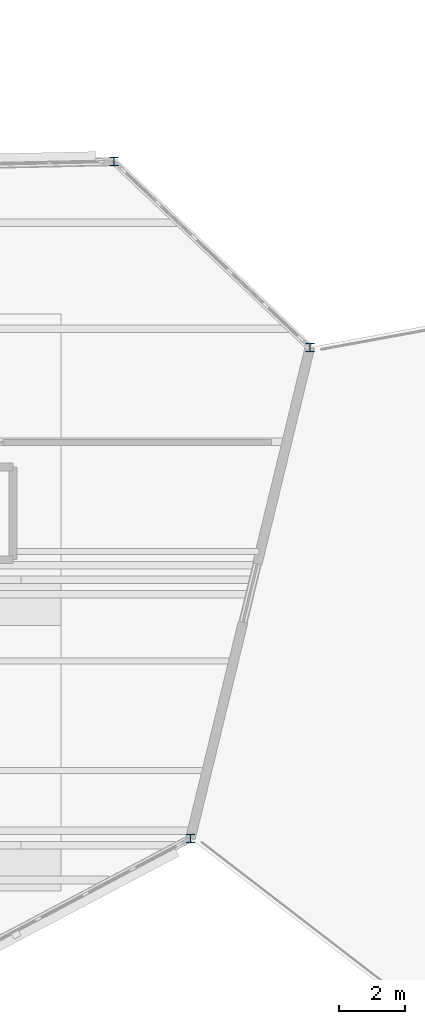
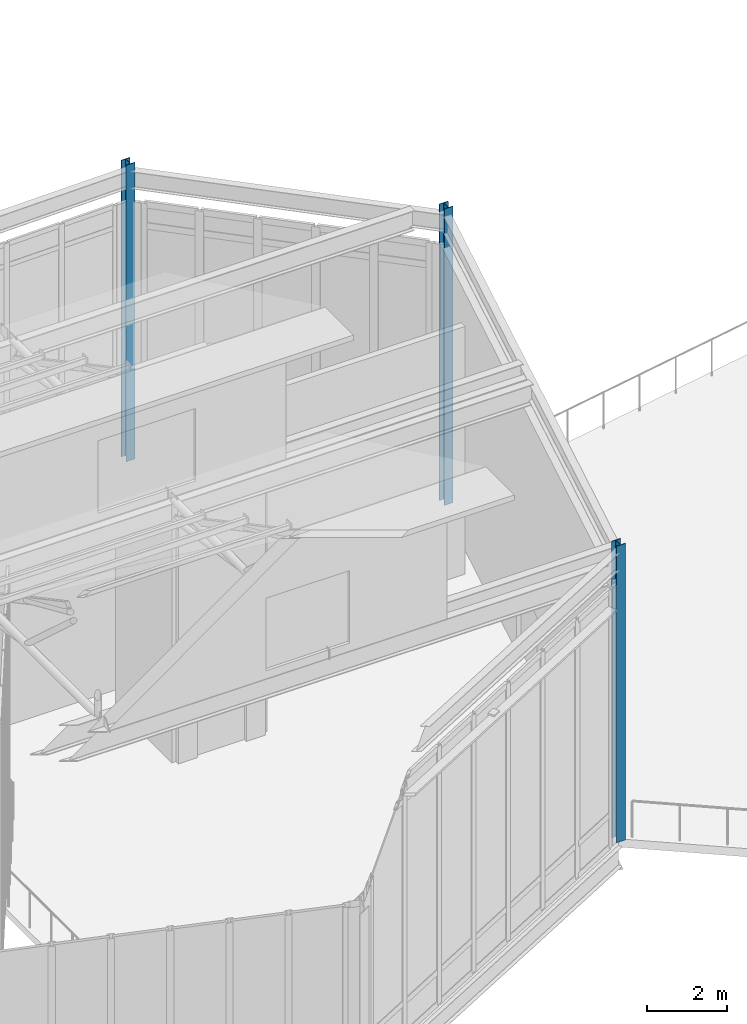
# One storey, part 4 of 66: 3 columns.
"""IFC4 building model written with IfcOpenShell, lengths in metres."""

import ifcopenshell
import ifcopenshell.guid

model = None  # the IFC model being written
_history = None  # IfcOwnerHistory: only IFC2X3 demands one
_inside = {}  # id of a spatial element -> (the spatial element, [elements in it])
_under = {}  # id of a project, library or spatial element -> (it, [spatial elements below it])
_declared = {}  # id of a project -> (the project, [libraries it declares])
_typed = {}  # id of a type object -> (the type object, [elements of that type])
_made_of = {}  # id of a material, layer set ... -> (it, [elements and type objects made of it])


def new_model(schema):
    """Start an empty IFC model of exactly this schema.

    Asked for "IFC4X3", IfcOpenShell would pick the latest addendum, in which some entities
    have other attributes; the version numbers below select the first issue.
    IFC2X3 requires an IfcOwnerHistory on every rooted entity: one is made here for all.
    """
    global model, _history
    if schema == "IFC4X3":
        model = ifcopenshell.file(schema_version=(4, 3, 0, 0))
    else:
        model = ifcopenshell.file(schema=schema)
    _inside.clear()
    _under.clear()
    _declared.clear()
    _typed.clear()
    _made_of.clear()
    _history = None
    if model.schema == "IFC2X3":
        org = make("IfcOrganization", Name="unknown")
        user = make(
            "IfcPersonAndOrganization",
            ThePerson=make("IfcPerson", FamilyName="unknown"),
            TheOrganization=org,
        )
        app = make(
            "IfcApplication",
            ApplicationDeveloper=org,
            Version="unknown",
            ApplicationFullName="unknown",
            ApplicationIdentifier="unknown",
        )
        _history = make(
            "IfcOwnerHistory",
            OwningUser=user,
            OwningApplication=app,
            ChangeAction="ADDED",
            CreationDate=0,
        )
    return model


def make(cls, **values):
    """One entity of the class cls with the attributes given. An attribute that is None is left unset."""
    return model.create_entity(
        cls, **{name: value for name, value in values.items() if value is not None}
    )


def rooted(cls, **values):
    """An entity with a GlobalId (a new one), such as an element, a storey or a relation."""
    return make(cls, GlobalId=ifcopenshell.guid.new(), OwnerHistory=_history, **values)


def si_unit(unit_type, name, prefix=None):
    """IfcSIUnit, for example si_unit("LENGTHUNIT", "METRE", prefix="MILLI")."""
    return make("IfcSIUnit", UnitType=unit_type, Prefix=prefix, Name=name)


def assignment(units):
    """IfcUnitAssignment: the units of a project."""
    return None if units is None else make("IfcUnitAssignment", Units=units)


def point(xyz):
    """IfcCartesianPoint."""
    return None if xyz is None else make("IfcCartesianPoint", Coordinates=xyz)


def direction(xyz):
    """IfcDirection."""
    return None if xyz is None else make("IfcDirection", DirectionRatios=xyz)


def frame(location, z_axis=None, x_axis=None):
    """IfcAxis2Placement3D, a coordinate frame: its origin and axes. An axis left out is left unset."""
    return make(
        "IfcAxis2Placement3D",
        Location=point(location),
        Axis=direction(z_axis),
        RefDirection=direction(x_axis),
    )


def frame_2d(location, x_axis=None):
    """IfcAxis2Placement2D, a coordinate frame in the plane: its origin and x axis."""
    return make(
        "IfcAxis2Placement2D", Location=point(location), RefDirection=direction(x_axis)
    )


def origin():
    """The frame at (0, 0, 0) with its axes left unset."""
    return frame((0.0, 0.0, 0.0))


def origin_2d():
    """The frame at (0, 0) in the plane with its x axis left unset."""
    return frame_2d((0.0, 0.0))


def place(relative_to, where):
    """IfcLocalPlacement: puts the frame where relative to a parent placement (None: the world)."""
    return make(
        "IfcLocalPlacement", PlacementRelTo=relative_to, RelativePlacement=where
    )


def context(
    kind, dimensions, precision=None, world=None, true_north=None, identifier=None
):
    """IfcGeometricRepresentationContext, for example the 3D "Model" context."""
    return make(
        "IfcGeometricRepresentationContext",
        ContextIdentifier=identifier,
        ContextType=kind,
        CoordinateSpaceDimension=dimensions,
        Precision=precision,
        WorldCoordinateSystem=world,
        TrueNorth=true_north,
    )


def subcontext(parent, identifier, kind, view, scale=None):
    """IfcGeometricRepresentationSubContext, for example "Body" below "Model"."""
    return make(
        "IfcGeometricRepresentationSubContext",
        ContextIdentifier=identifier,
        ContextType=kind,
        ParentContext=parent,
        TargetScale=scale,
        TargetView=view,
    )


def project(units=None, contexts=None):
    """IfcProject with its units and contexts."""
    return rooted(
        "IfcProject",
        Name="project",
        RepresentationContexts=contexts,
        UnitsInContext=assignment(units),
    )


def spatial(cls, under=None, at=None, **own):
    """A site, building, storey or space (cls), placed at a placement, below another one or the project."""
    s = rooted(cls, ObjectPlacement=at, **own)
    if under is not None:
        _under.setdefault(under.id(), (under, []))[1].append(s)
    return s


def profile(cls, at=None, kind="AREA", **sizes):
    """A parametric profile (cls). Its sizes go by their IFC names, for example OverallWidth=200.0."""
    return make(cls, ProfileType=kind, Position=at, **sizes)


def i_section(**sizes):
    """IfcIShapeProfileDef."""
    return profile("IfcIShapeProfileDef", **sizes)


def extrude(swept, where, along, depth):
    """IfcExtrudedAreaSolid: the profile swept, set in the frame where, extruded along a direction by depth."""
    return make(
        "IfcExtrudedAreaSolid",
        SweptArea=swept,
        Position=where,
        ExtrudedDirection=direction(along),
        Depth=depth,
    )


def shape(context_of_items, identifier, shape_type, items):
    """IfcShapeRepresentation: the items that make up one representation, for example the "Body"."""
    return make(
        "IfcShapeRepresentation",
        ContextOfItems=context_of_items,
        RepresentationIdentifier=identifier,
        RepresentationType=shape_type,
        Items=items,
    )


def material(Name=None, Category=None):
    """IfcMaterial."""
    return make("IfcMaterial", Name=Name, Category=Category)


def material_profile(
    of_material, cross_section, Name=None, Category=None, Priority=None
):
    """IfcMaterialProfile: a cross section and its material."""
    return make(
        "IfcMaterialProfile",
        Name=Name,
        Material=of_material,
        Profile=cross_section,
        Priority=Priority,
        Category=Category,
    )


def profile_set(profiles, Name=None, composite=None):
    """IfcMaterialProfileSet."""
    return make(
        "IfcMaterialProfileSet",
        Name=Name,
        MaterialProfiles=profiles,
        CompositeProfile=composite,
    )


def made_of(thing, what):
    """Note that an element or type object is made of a material, layer set ...; save() writes the relation."""
    if what is not None:
        _made_of.setdefault(what.id(), (what, []))[1].append(thing)
    return thing


def type_object(cls, material=None, **own):
    """A type object (cls), such as IfcWallType, which elements share."""
    return made_of(rooted(cls, **own), material)


def element(
    cls,
    number,
    at=None,
    inside=None,
    cuts=None,
    type_object=None,
    material=None,
    context=None,
    identifier="Body",
    shape_type=None,
    held_by="IfcProductDefinitionShape",
    body=None,
    shapes=None,
    **own,
):
    """One element of the class cls, such as IfcWall. Its Tag is "e" and its number.

    at: its placement. inside: the storey or other place that contains it. cuts: it is an
    opening in that element (IfcRelVoidsElement). A single representation is given by context,
    identifier, shape_type and body (its items); several are given by shapes. held_by: the class
    of the entity that holds the representations. save() writes the other relations.
    """
    e = rooted(cls, Tag="e%d" % number, ObjectPlacement=at, **own)
    if body is not None:
        shapes = [shape(context, identifier, shape_type, body)]
    if shapes is not None:
        e.Representation = make(held_by, Representations=shapes)
    if inside is not None:
        _inside.setdefault(inside.id(), (inside, []))[1].append(e)
    if cuts is not None:
        rooted(
            "IfcRelVoidsElement", RelatingBuildingElement=cuts, RelatedOpeningElement=e
        )
    if type_object is not None:
        _typed.setdefault(type_object.id(), (type_object, []))[1].append(e)
    return made_of(e, material)


def aggregate(whole, parts):
    """IfcRelAggregates: a whole, such as a stair, and the parts it consists of."""
    return rooted("IfcRelAggregates", RelatingObject=whole, RelatedObjects=parts)


def save(model, path):
    """Write the relations noted so far, then the file.

    IfcRelAggregates (storeys below a building ...), IfcRelContainedInSpatialStructure (elements
    in a storey), IfcRelDefinesByType, IfcRelAssociatesMaterial and IfcRelDeclares: one each for
    every whole, place, type object, material and project.
    """
    for whole, parts in _under.values():
        aggregate(whole, parts)
    for where, things in _inside.values():
        rooted(
            "IfcRelContainedInSpatialStructure",
            RelatedElements=things,
            RelatingStructure=where,
        )
    for kind, things in _typed.values():
        rooted("IfcRelDefinesByType", RelatedObjects=things, RelatingType=kind)
    for what, things in _made_of.values():
        rooted("IfcRelAssociatesMaterial", RelatedObjects=things, RelatingMaterial=what)
    for by, libraries in _declared.values():
        rooted("IfcRelDeclares", RelatingContext=by, RelatedDefinitions=libraries)
    model.write(path)


model = new_model("IFC4")

# Units and contexts
model_context = context("Model", 3, precision=1e-05, world=origin(), true_north=direction((0.0, 1.0)))
body_context = subcontext(model_context, "Body", "Model", "MODEL_VIEW")
ifc_project = project(units=[si_unit("LENGTHUNIT", "METRE"), si_unit("AREAUNIT", "SQUARE_METRE"), si_unit("VOLUMEUNIT", "CUBIC_METRE"), si_unit("PLANEANGLEUNIT", "RADIAN"), si_unit("MASSUNIT", "GRAM", prefix="KILO")], contexts=[model_context])

# Site, building, storey
site_placement = place(None, origin())
site = spatial("IfcSite", under=ifc_project, at=site_placement, CompositionType="ELEMENT")
building_placement = place(site_placement, origin())
building = spatial("IfcBuilding", under=site, at=building_placement, Name="Tameran Prism Museum", CompositionType="ELEMENT")
storey_placement = place(building_placement, frame((0.0, 0.0, 19.800048828125)))
storey = spatial("IfcBuildingStorey", under=building, at=storey_placement, Name="L04", CompositionType="ELEMENT", Elevation=19.800048828125)

# Columns
ifc_material = material(Name="Steel Grade 300PLUS (300 MPa)", Category="steel")
ifc_material_profile = material_profile(ifc_material, i_section(OverallWidth=0.256103515625, OverallDepth=0.260009765625, WebThickness=0.010498046875, FlangeThickness=0.017333984375, FilletRadius=0.0126953125, at=origin_2d()))
ifc_profile_set = profile_set([ifc_material_profile])
column_type = type_object("IfcColumnType", Name="COL-UC250A", PredefinedType="COLUMN", material=ifc_profile_set)
for number, where, z_axis, x_axis, name in (
    (1, (95.800048828125, 48.60009765625, 0.0), (0.0, 0.0, 1.0), (1.0, 0.0, 0.0), "Column CV-38 L04"),
    (2, (98.10009765625, 28.199951171875, 0.0), (0.0, 0.0, 1.0), (1.0, 0.0, 0.0), "Column CV-39 L04"),
    (3, (101.699951171875, 43.0, 0.0), (0.0, 0.0, 1.0), (1.0, 0.0, 0.0), "Column CV-41 L04"),
):
    element("IfcColumn", number, at=place(storey_placement, frame(where, z_axis=z_axis, x_axis=x_axis)), inside=storey, type_object=column_type, Name=name, PredefinedType="COLUMN", context=body_context, shape_type="SweptSolid", body=[
        extrude(i_section(OverallWidth=0.256103515625, OverallDepth=0.260009765625, WebThickness=0.010498046875, FlangeThickness=0.017333984375, FilletRadius=0.0126953125, at=origin_2d()), origin(), (0.0, 0.0, 1.0), 9.0),
    ])

save(model, "model.ifc")
